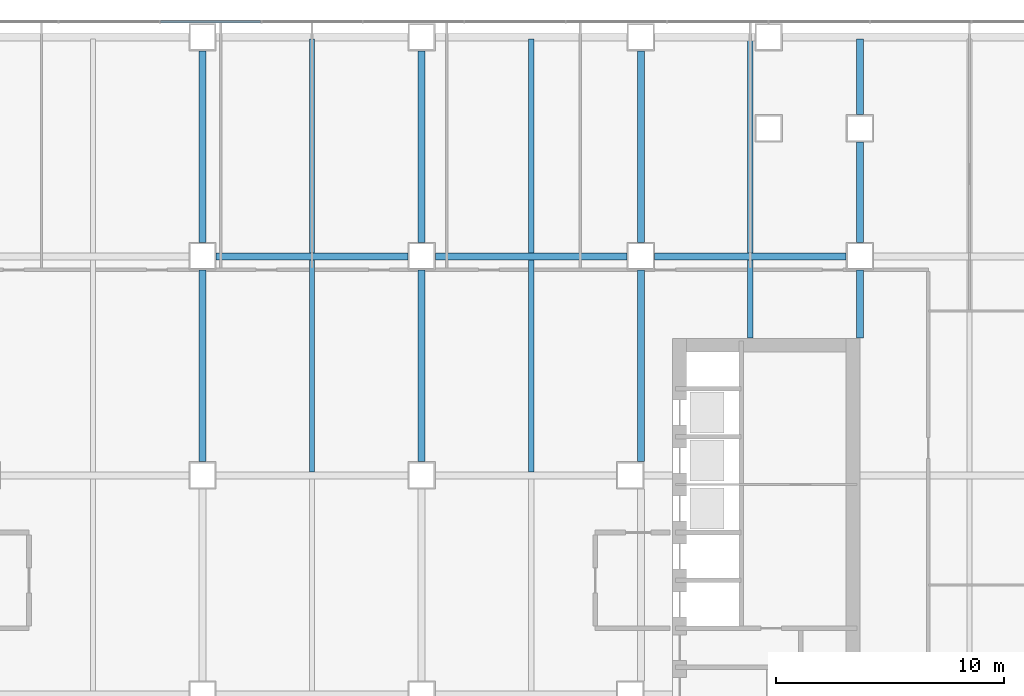
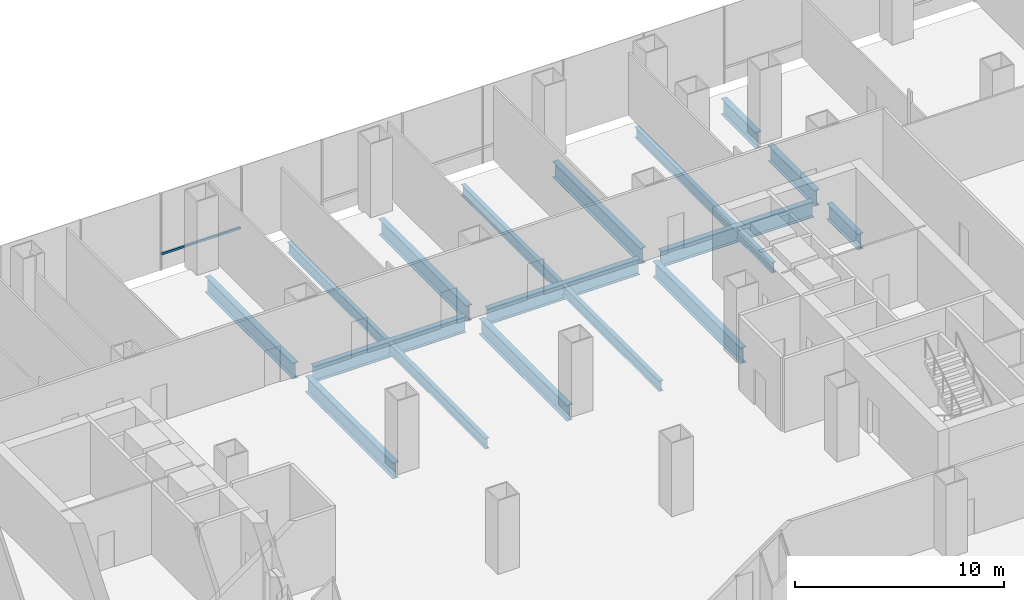
# One storey, part 10 of 23: 18 beams, 1 member, 1 element without a shape of its own.
"""IFC4 building model written with IfcOpenShell, lengths in metres."""

from ifc_helpers import new_model, si_unit, direction, frame, origin, origin_2d, place, context, subcontext, project, spatial, rectangle, i_section, extrude, material, material_profile, profile_set, type_object, element, aggregate, save


model = new_model("IFC4")

# Units and contexts
model_context = context("Model", 3, precision=1e-05, world=origin(), true_north=direction((0.0, 1.0)))
body_context = subcontext(model_context, "Body", "Model", "MODEL_VIEW")
ifc_project = project(units=[si_unit("LENGTHUNIT", "METRE"), si_unit("AREAUNIT", "SQUARE_METRE"), si_unit("VOLUMEUNIT", "CUBIC_METRE"), si_unit("PLANEANGLEUNIT", "RADIAN"), si_unit("MASSUNIT", "GRAM", prefix="KILO")], contexts=[model_context])

# Site, building, storey
site_placement = place(None, origin())
site = spatial("IfcSite", under=ifc_project, at=site_placement, CompositionType="ELEMENT")
building_placement = place(site_placement, origin())
building = spatial("IfcBuilding", under=site, at=building_placement, Name="Cobrizo Arcos Hotel Tower", CompositionType="ELEMENT")
storey_placement = place(building_placement, frame((0.0, 0.0, 20.0)))
storey = spatial("IfcBuildingStorey", under=building, at=storey_placement, Name="L03", CompositionType="ELEMENT", Elevation=20.0)

# Curtain wall, member
ifc_material_1 = material(Name="Aluminium 6063-T6 anodised bronze", Category="aluminium")
curtain_wall_type = type_object("IfcCurtainWallType", Name="CW-A guest facade", PredefinedType="NOTDEFINED", material=ifc_material_1)
curtain_wall_placement = place(storey_placement, origin())
curtain_wall = element("IfcCurtainWall", 1, at=curtain_wall_placement, inside=storey, type_object=curtain_wall_type, Name="CW-A L03 N face", PredefinedType="NOTDEFINED")
ifc_material_profile_1 = material_profile(ifc_material_1, rectangle(XDim=0.10009765625, YDim=0.1201171875, at=origin_2d()), Name="CW-A transom 120x100")
ifc_profile_set_1 = profile_set([ifc_material_profile_1], Name="Aluminium 6063-T6 anodised bronze")
member_type = type_object("IfcMemberType", Name="CW-A transom 120x100", PredefinedType="USERDEFINED", material=ifc_profile_set_1)
member_placement = place(storey_placement, frame((-2.252197265625, 24.675048828125, 0.929931640625), z_axis=(-1.0, 0.0, 0.0), x_axis=(0.0, -1.0, 0.0)))
member = element("IfcMember", 2, at=member_placement, type_object=member_type, Name="CW-A transom 180", ObjectType="TRANSOM", PredefinedType="USERDEFINED", context=body_context, shape_type="SweptSolid", body=[
    extrude(rectangle(XDim=0.10009765625, YDim=0.1201171875, at=origin_2d()), origin(), (0.0, 0.0, 1.0), 4.384521484375),
])
aggregate(curtain_wall, [member])

# Beams
ifc_material_2 = material(Name="Steel ASTM A992 Grade 50", Category="steel")
ifc_material_profile_2 = material_profile(ifc_material_2, i_section(OverallWidth=0.23046875, OverallDepth=0.6171875, WebThickness=0.01318359375, FlangeThickness=0.022216796875, at=origin_2d()), Name="W24X94")
ifc_profile_set_2 = profile_set([ifc_material_profile_2], Name="Steel ASTM A992 Grade 50")
beam_type_1 = type_object("IfcBeamType", Name="W24X94 podium joist", PredefinedType="JOIST", material=ifc_profile_set_2)
beam_1_placement = place(storey_placement, frame((0.0, 4.95361328125, -0.508544921875), z_axis=(0.0, 1.0, 0.0), x_axis=(-1.0, 0.0, 0.0)))
element("IfcBeam", 3, at=beam_1_placement, inside=storey, type_object=beam_type_1, Name="Podium joist PJ1, L03, no. 018", PredefinedType="JOIST", context=body_context, shape_type="SweptSolid", body=[
    extrude(i_section(OverallWidth=0.23046875, OverallDepth=0.6171875, WebThickness=0.01318359375, FlangeThickness=0.022216796875, at=origin_2d()), origin(), (0.0, 0.0, 1.0), 9.292724609375),
])
beam_2_placement = place(storey_placement, frame((0.0, 14.5537109375, -0.508544921875), z_axis=(0.0, 1.0, 0.0), x_axis=(-1.0, 0.0, 0.0)))
element("IfcBeam", 4, at=beam_2_placement, inside=storey, type_object=beam_type_1, Name="Podium joist PJ1, L03, no. 019", PredefinedType="JOIST", context=body_context, shape_type="SweptSolid", body=[
    extrude(i_section(OverallWidth=0.23046875, OverallDepth=0.6171875, WebThickness=0.01318359375, FlangeThickness=0.022216796875, at=origin_2d()), origin(), (0.0, 0.0, 1.0), 9.356201171875),
])
beam_3_placement = place(storey_placement, frame((9.60009765625, 4.95361328125, -0.508544921875), z_axis=(0.0, 1.0, 0.0), x_axis=(-1.0, 0.0, 0.0)))
element("IfcBeam", 5, at=beam_3_placement, inside=storey, type_object=beam_type_1, Name="Podium joist PJ1, L03, no. 023", PredefinedType="JOIST", context=body_context, shape_type="SweptSolid", body=[
    extrude(i_section(OverallWidth=0.23046875, OverallDepth=0.6171875, WebThickness=0.01318359375, FlangeThickness=0.022216796875, at=origin_2d()), origin(), (0.0, 0.0, 1.0), 9.292724609375),
])
beam_4_placement = place(storey_placement, frame((9.60009765625, 14.5537109375, -0.508544921875), z_axis=(0.0, 1.0, 0.0), x_axis=(-1.0, 0.0, 0.0)))
element("IfcBeam", 6, at=beam_4_placement, inside=storey, type_object=beam_type_1, Name="Podium joist PJ1, L03, no. 024", PredefinedType="JOIST", context=body_context, shape_type="SweptSolid", body=[
    extrude(i_section(OverallWidth=0.23046875, OverallDepth=0.6171875, WebThickness=0.01318359375, FlangeThickness=0.022216796875, at=origin_2d()), origin(), (0.0, 0.0, 1.0), 9.356201171875),
])
beam_5_placement = place(storey_placement, frame((19.199951171875, 10.81005859375, -0.508544921875), z_axis=(0.0, 1.0, 0.0), x_axis=(-1.0, 0.0, 0.0)))
element("IfcBeam", 7, at=beam_5_placement, inside=storey, type_object=beam_type_1, Name="Podium joist PJ1, L03, no. 027", PredefinedType="JOIST", context=body_context, shape_type="SweptSolid", body=[
    extrude(i_section(OverallWidth=0.23046875, OverallDepth=0.6171875, WebThickness=0.01318359375, FlangeThickness=0.022216796875, at=origin_2d()), origin(), (0.0, 0.0, 1.0), 3.436279296875),
])
beam_6_placement = place(storey_placement, frame((19.199951171875, 14.5537109375, -0.508544921875), z_axis=(0.0, 1.0, 0.0), x_axis=(-1.0, 0.0, 0.0)))
element("IfcBeam", 8, at=beam_6_placement, inside=storey, type_object=beam_type_1, Name="Podium joist PJ1, L03, no. 028", PredefinedType="JOIST", context=body_context, shape_type="SweptSolid", body=[
    extrude(i_section(OverallWidth=0.23046875, OverallDepth=0.6171875, WebThickness=0.01318359375, FlangeThickness=0.022216796875, at=origin_2d()), origin(), (0.0, 0.0, 1.0), 9.356201171875),
])
ifc_material_profile_3 = material_profile(ifc_material_2, i_section(OverallWidth=0.307373046875, OverallDepth=0.927001953125, WebThickness=0.01953125, FlangeThickness=0.031982421875, at=origin_2d()), Name="W36X194")
ifc_profile_set_3 = profile_set([ifc_material_profile_3], Name="Steel ASTM A992 Grade 50")
beam_type_2 = type_object("IfcBeamType", Name="W36X194 podium girder", PredefinedType="BEAM", material=ifc_profile_set_3)
beam_7_placement = place(storey_placement, frame((-4.199951171875, 14.39990234375, -0.66357421875), z_axis=(1.0, 0.0, 0.0), x_axis=(0.0, 1.0, 0.0)))
element("IfcBeam", 9, at=beam_7_placement, inside=storey, type_object=beam_type_2, Name="Podium girder PG1, L03, no. 030", PredefinedType="BEAM", context=body_context, shape_type="SweptSolid", body=[
    extrude(i_section(OverallWidth=0.307373046875, OverallDepth=0.927001953125, WebThickness=0.01953125, FlangeThickness=0.031982421875, at=origin_2d()), origin(), (0.0, 0.0, 1.0), 8.39990234375),
])
beam_8_placement = place(storey_placement, frame((5.39990234375, 14.39990234375, -0.66357421875), z_axis=(1.0, 0.0, 0.0), x_axis=(0.0, 1.0, 0.0)))
element("IfcBeam", 10, at=beam_8_placement, inside=storey, type_object=beam_type_2, Name="Podium girder PG1, L03, no. 031", PredefinedType="BEAM", context=body_context, shape_type="SweptSolid", body=[
    extrude(i_section(OverallWidth=0.307373046875, OverallDepth=0.927001953125, WebThickness=0.01953125, FlangeThickness=0.031982421875, at=origin_2d()), origin(), (0.0, 0.0, 1.0), 8.400146484375),
])
beam_9_placement = place(storey_placement, frame((15.0, 14.39990234375, -0.66357421875), z_axis=(1.0, 0.0, 0.0), x_axis=(0.0, 1.0, 0.0)))
element("IfcBeam", 11, at=beam_9_placement, inside=storey, type_object=beam_type_2, Name="Podium girder PG1, L03, no. 032", PredefinedType="BEAM", context=body_context, shape_type="SweptSolid", body=[
    extrude(i_section(OverallWidth=0.307373046875, OverallDepth=0.927001953125, WebThickness=0.01953125, FlangeThickness=0.031982421875, at=origin_2d()), origin(), (0.0, 0.0, 1.0), 8.39990234375),
])
beam_10_placement = place(storey_placement, frame((-4.800048828125, 5.39990234375, -0.66357421875), z_axis=(0.0, 1.0, 0.0), x_axis=(-1.0, 0.0, 0.0)))
element("IfcBeam", 12, at=beam_10_placement, inside=storey, type_object=beam_type_2, Name="Podium girder PG1, L03, no. 054", PredefinedType="BEAM", context=body_context, shape_type="SweptSolid", body=[
    extrude(i_section(OverallWidth=0.307373046875, OverallDepth=0.927001953125, WebThickness=0.01953125, FlangeThickness=0.031982421875, at=origin_2d()), origin(), (0.0, 0.0, 1.0), 8.400146484375),
])
beam_11_placement = place(storey_placement, frame((-4.800048828125, 15.0, -0.66357421875), z_axis=(0.0, 1.0, 0.0), x_axis=(-1.0, 0.0, 0.0)))
element("IfcBeam", 13, at=beam_11_placement, inside=storey, type_object=beam_type_2, Name="Podium girder PG1, L03, no. 055", PredefinedType="BEAM", context=body_context, shape_type="SweptSolid", body=[
    extrude(i_section(OverallWidth=0.307373046875, OverallDepth=0.927001953125, WebThickness=0.01953125, FlangeThickness=0.031982421875, at=origin_2d()), origin(), (0.0, 0.0, 1.0), 8.39990234375),
])
beam_12_placement = place(storey_placement, frame((4.800048828125, 5.39990234375, -0.66357421875), z_axis=(0.0, 1.0, 0.0), x_axis=(-1.0, 0.0, 0.0)))
element("IfcBeam", 14, at=beam_12_placement, inside=storey, type_object=beam_type_2, Name="Podium girder PG1, L03, no. 059", PredefinedType="BEAM", context=body_context, shape_type="SweptSolid", body=[
    extrude(i_section(OverallWidth=0.307373046875, OverallDepth=0.927001953125, WebThickness=0.01953125, FlangeThickness=0.031982421875, at=origin_2d()), origin(), (0.0, 0.0, 1.0), 8.400146484375),
])
beam_13_placement = place(storey_placement, frame((4.800048828125, 15.0, -0.66357421875), z_axis=(0.0, 1.0, 0.0), x_axis=(-1.0, 0.0, 0.0)))
element("IfcBeam", 15, at=beam_13_placement, inside=storey, type_object=beam_type_2, Name="Podium girder PG1, L03, no. 060", PredefinedType="BEAM", context=body_context, shape_type="SweptSolid", body=[
    extrude(i_section(OverallWidth=0.307373046875, OverallDepth=0.927001953125, WebThickness=0.01953125, FlangeThickness=0.031982421875, at=origin_2d()), origin(), (0.0, 0.0, 1.0), 8.39990234375),
])
beam_14_placement = place(storey_placement, frame((14.39990234375, 5.39990234375, -0.66357421875), z_axis=(0.0, 1.0, 0.0), x_axis=(-1.0, 0.0, 0.0)))
element("IfcBeam", 16, at=beam_14_placement, inside=storey, type_object=beam_type_2, Name="Podium girder PG1, L03, no. 064", PredefinedType="BEAM", context=body_context, shape_type="SweptSolid", body=[
    extrude(i_section(OverallWidth=0.307373046875, OverallDepth=0.927001953125, WebThickness=0.01953125, FlangeThickness=0.031982421875, at=origin_2d()), origin(), (0.0, 0.0, 1.0), 8.400146484375),
])
beam_15_placement = place(storey_placement, frame((14.39990234375, 15.0, -0.66357421875), z_axis=(0.0, 1.0, 0.0), x_axis=(-1.0, 0.0, 0.0)))
element("IfcBeam", 17, at=beam_15_placement, inside=storey, type_object=beam_type_2, Name="Podium girder PG1, L03, no. 065", PredefinedType="BEAM", context=body_context, shape_type="SweptSolid", body=[
    extrude(i_section(OverallWidth=0.307373046875, OverallDepth=0.927001953125, WebThickness=0.01953125, FlangeThickness=0.031982421875, at=origin_2d()), origin(), (0.0, 0.0, 1.0), 8.39990234375),
])
beam_16_placement = place(storey_placement, frame((24.0, 10.81005859375, -0.66357421875), z_axis=(0.0, 1.0, 0.0), x_axis=(-1.0, 0.0, 0.0)))
element("IfcBeam", 18, at=beam_16_placement, inside=storey, type_object=beam_type_2, Name="Podium girder PG1, L03, no. 069", PredefinedType="BEAM", context=body_context, shape_type="SweptSolid", body=[
    extrude(i_section(OverallWidth=0.307373046875, OverallDepth=0.927001953125, WebThickness=0.01953125, FlangeThickness=0.031982421875, at=origin_2d()), origin(), (0.0, 0.0, 1.0), 2.989990234375),
])
beam_17_placement = place(storey_placement, frame((24.0, 15.0, -0.66357421875), z_axis=(0.0, 1.0, 0.0), x_axis=(-1.0, 0.0, 0.0)))
element("IfcBeam", 19, at=beam_17_placement, inside=storey, type_object=beam_type_2, Name="Podium girder PG1, L03, no. 070", PredefinedType="BEAM", context=body_context, shape_type="SweptSolid", body=[
    extrude(i_section(OverallWidth=0.307373046875, OverallDepth=0.927001953125, WebThickness=0.01953125, FlangeThickness=0.031982421875, at=origin_2d()), origin(), (0.0, 0.0, 1.0), 4.39990234375),
])
beam_18_placement = place(storey_placement, frame((24.0, 20.60009765625, -0.66357421875), z_axis=(0.0, 1.0, 0.0), x_axis=(-1.0, 0.0, 0.0)))
element("IfcBeam", 20, at=beam_18_placement, inside=storey, type_object=beam_type_2, Name="Podium girder PG1, L03, no. 071", PredefinedType="BEAM", context=body_context, shape_type="SweptSolid", body=[
    extrude(i_section(OverallWidth=0.307373046875, OverallDepth=0.927001953125, WebThickness=0.01953125, FlangeThickness=0.031982421875, at=origin_2d()), origin(), (0.0, 0.0, 1.0), 3.309814453125),
])

save(model, "model.ifc")
